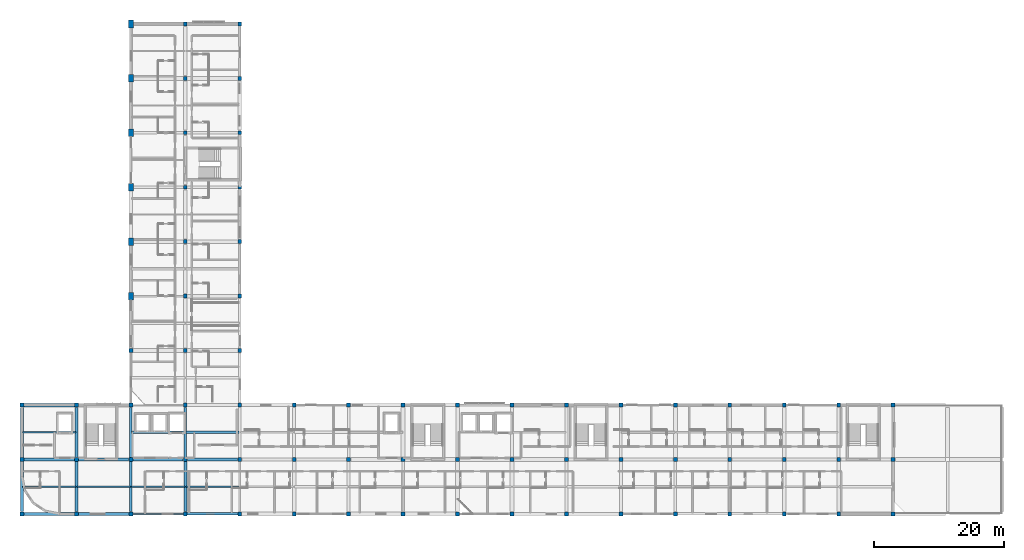
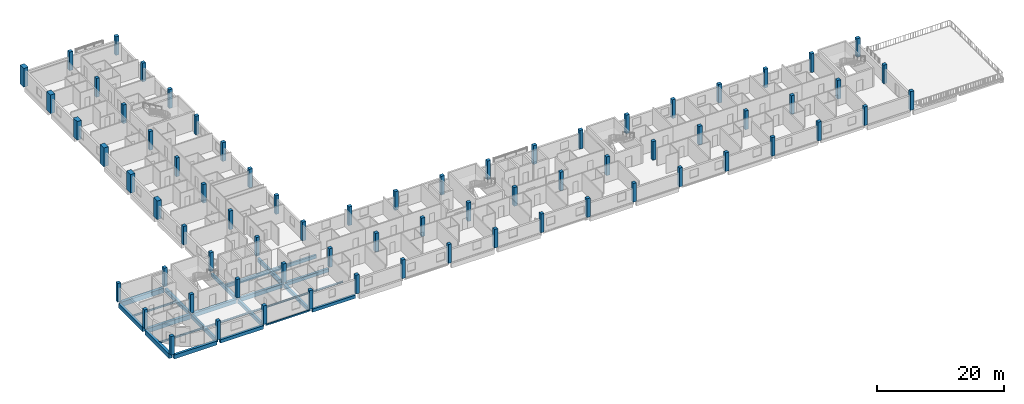
# One storey, part 1 of 25: 72 columns, 24 beams.
"""IFC4 building model written with IfcOpenShell, lengths in metres."""

from ifc_helpers import new_model, si_unit, derived_unit, direction, frame, origin, origin_2d, place, context, subcontext, project, spatial, rectangle, hollow_rectangle, i_section, extrude, material, material_profile, profile_set, type_object, element, save


model = new_model("IFC4")

# Units and contexts
model_context = context("Model", 3, precision=1e-05, world=origin(), true_north=direction((0.0, 1.0)))
body_context = subcontext(model_context, "Body", "Model", "MODEL_VIEW")
ifc_project = project(units=[si_unit("LENGTHUNIT", "METRE"), si_unit("AREAUNIT", "SQUARE_METRE"), si_unit("VOLUMEUNIT", "CUBIC_METRE"), si_unit("PLANEANGLEUNIT", "RADIAN"), si_unit("MASSUNIT", "GRAM", prefix="KILO"), derived_unit("THERMALTRANSMITTANCEUNIT", [(si_unit("POWERUNIT", "WATT"), 1), (si_unit("LENGTHUNIT", "METRE"), -2), (si_unit("THERMODYNAMICTEMPERATUREUNIT", "KELVIN"), -1)])], contexts=[model_context])

# Site, building, storey
site_placement = place(None, origin())
site = spatial("IfcSite", under=ifc_project, at=site_placement, CompositionType="ELEMENT")
building_placement = place(site_placement, origin())
building = spatial("IfcBuilding", under=site, at=building_placement, Name="Barrovel Congress Hotel", CompositionType="ELEMENT")
storey_placement = place(building_placement, frame((0.0, 0.0, 25.5)))
storey = spatial("IfcBuildingStorey", under=building, at=storey_placement, Name="L06", CompositionType="ELEMENT", Elevation=25.5)

# Columns
ifc_material_1 = material(Name="Concrete C40", Category="concrete")
ifc_material_profile_1 = material_profile(ifc_material_1, rectangle(XDim=0.60009765625, YDim=0.60009765625, at=origin_2d()), Name="RC600x600")
ifc_profile_set_1 = profile_set([ifc_material_profile_1], Name="Concrete C40")
column_type_1 = type_object("IfcColumnType", Name="COL-RC600x600", PredefinedType="COLUMN", material=ifc_profile_set_1)
for number, where, z_axis, x_axis, name in (
    (1, (16.800048828125, 4.199951171875, 0.0), (0.0, 0.0, 1.0), (1.0, 0.0, 0.0), "COL:L06:16.8:4.2"),
    (2, (16.800048828125, 12.60009765625, 0.0), (0.0, 0.0, 1.0), (1.0, 0.0, 0.0), "COL:L06:16.8:12.6"),
    (3, (16.800048828125, 21.0, 0.0), (0.0, 0.0, 1.0), (1.0, 0.0, 0.0), "COL:L06:16.8:21.0"),
    (4, (25.199951171875, 4.199951171875, 0.0), (0.0, 0.0, 1.0), (1.0, 0.0, 0.0), "COL:L06:25.2:4.2"),
    (5, (25.199951171875, 12.60009765625, 0.0), (0.0, 0.0, 1.0), (1.0, 0.0, 0.0), "COL:L06:25.2:12.6"),
    (6, (25.199951171875, 21.0, 0.0), (0.0, 0.0, 1.0), (1.0, 0.0, 0.0), "COL:L06:25.2:21.0"),
    (7, (33.60009765625, 4.199951171875, 0.0), (0.0, 0.0, 1.0), (1.0, 0.0, 0.0), "COL:L06:33.6:4.2"),
    (8, (33.60009765625, 12.60009765625, 0.0), (0.0, 0.0, 1.0), (1.0, 0.0, 0.0), "COL:L06:33.6:12.6"),
    (9, (33.60009765625, 21.0, 0.0), (0.0, 0.0, 1.0), (1.0, 0.0, 0.0), "COL:L06:33.6:21.0"),
    (10, (33.60009765625, 29.39990234375, 0.0), (0.0, 0.0, 1.0), (1.0, 0.0, 0.0), "COL:L06:33.6:29.4"),
    (11, (42.0, 4.199951171875, 0.0), (0.0, 0.0, 1.0), (1.0, 0.0, 0.0), "COL:L06:42.0:4.2"),
    (12, (42.0, 12.60009765625, 0.0), (0.0, 0.0, 1.0), (1.0, 0.0, 0.0), "COL:L06:42.0:12.6"),
    (13, (42.0, 21.0, 0.0), (0.0, 0.0, 1.0), (1.0, 0.0, 0.0), "COL:L06:42.0:21.0"),
    (14, (42.0, 29.39990234375, 0.0), (0.0, 0.0, 1.0), (1.0, 0.0, 0.0), "COL:L06:42.0:29.4"),
    (15, (42.0, 37.800048828125, 0.0), (0.0, 0.0, 1.0), (1.0, 0.0, 0.0), "COL:L06:42.0:37.8"),
    (16, (42.0, 46.199951171875, 0.0), (0.0, 0.0, 1.0), (1.0, 0.0, 0.0), "COL:L06:42.0:46.2"),
    (17, (42.0, 54.60009765625, 0.0), (0.0, 0.0, 1.0), (1.0, 0.0, 0.0), "COL:L06:42.0:54.6"),
    (18, (42.0, 63.0, 0.0), (0.0, 0.0, 1.0), (1.0, 0.0, 0.0), "COL:L06:42.0:63.0"),
    (19, (42.0, 71.39990234375, 0.0), (0.0, 0.0, 1.0), (1.0, 0.0, 0.0), "COL:L06:42.0:71.4"),
    (20, (42.0, 79.800048828125, 0.0), (0.0, 0.0, 1.0), (1.0, 0.0, 0.0), "COL:L06:42.0:79.8"),
    (21, (50.39990234375, 4.199951171875, 0.0), (0.0, 0.0, 1.0), (1.0, 0.0, 0.0), "COL:L06:50.4:4.2"),
    (22, (50.39990234375, 12.60009765625, 0.0), (0.0, 0.0, 1.0), (1.0, 0.0, 0.0), "COL:L06:50.4:12.6"),
    (23, (50.39990234375, 21.0, 0.0), (0.0, 0.0, 1.0), (1.0, 0.0, 0.0), "COL:L06:50.4:21.0"),
    (24, (50.39990234375, 29.39990234375, 0.0), (0.0, 0.0, 1.0), (1.0, 0.0, 0.0), "COL:L06:50.4:29.4"),
    (25, (50.39990234375, 37.800048828125, 0.0), (0.0, 0.0, 1.0), (1.0, 0.0, 0.0), "COL:L06:50.4:37.8"),
    (26, (50.39990234375, 46.199951171875, 0.0), (0.0, 0.0, 1.0), (1.0, 0.0, 0.0), "COL:L06:50.4:46.2"),
    (27, (50.39990234375, 54.60009765625, 0.0), (0.0, 0.0, 1.0), (1.0, 0.0, 0.0), "COL:L06:50.4:54.6"),
    (28, (50.39990234375, 63.0, 0.0), (0.0, 0.0, 1.0), (1.0, 0.0, 0.0), "COL:L06:50.4:63.0"),
    (29, (50.39990234375, 71.39990234375, 0.0), (0.0, 0.0, 1.0), (1.0, 0.0, 0.0), "COL:L06:50.4:71.4"),
    (30, (50.39990234375, 79.800048828125, 0.0), (0.0, 0.0, 1.0), (1.0, 0.0, 0.0), "COL:L06:50.4:79.8"),
    (31, (58.800048828125, 4.199951171875, 0.0), (0.0, 0.0, 1.0), (1.0, 0.0, 0.0), "COL:L06:58.8:4.2"),
    (32, (58.800048828125, 12.60009765625, 0.0), (0.0, 0.0, 1.0), (1.0, 0.0, 0.0), "COL:L06:58.8:12.6"),
    (33, (58.800048828125, 21.0, 0.0), (0.0, 0.0, 1.0), (1.0, 0.0, 0.0), "COL:L06:58.8:21.0"),
    (34, (67.199951171875, 4.199951171875, 0.0), (0.0, 0.0, 1.0), (1.0, 0.0, 0.0), "COL:L06:67.2:4.2"),
    (35, (67.199951171875, 12.60009765625, 0.0), (0.0, 0.0, 1.0), (1.0, 0.0, 0.0), "COL:L06:67.2:12.6"),
    (36, (67.199951171875, 21.0, 0.0), (0.0, 0.0, 1.0), (1.0, 0.0, 0.0), "COL:L06:67.2:21.0"),
    (37, (75.60009765625, 4.199951171875, 0.0), (0.0, 0.0, 1.0), (1.0, 0.0, 0.0), "COL:L06:75.6:4.2"),
    (38, (75.60009765625, 12.60009765625, 0.0), (0.0, 0.0, 1.0), (1.0, 0.0, 0.0), "COL:L06:75.6:12.6"),
    (39, (75.60009765625, 21.0, 0.0), (0.0, 0.0, 1.0), (1.0, 0.0, 0.0), "COL:L06:75.6:21.0"),
    (40, (84.0, 4.199951171875, 0.0), (0.0, 0.0, 1.0), (1.0, 0.0, 0.0), "COL:L06:84.0:4.2"),
    (41, (84.0, 12.60009765625, 0.0), (0.0, 0.0, 1.0), (1.0, 0.0, 0.0), "COL:L06:84.0:12.6"),
    (42, (84.0, 21.0, 0.0), (0.0, 0.0, 1.0), (1.0, 0.0, 0.0), "COL:L06:84.0:21.0"),
    (43, (92.39990234375, 4.199951171875, 0.0), (0.0, 0.0, 1.0), (1.0, 0.0, 0.0), "COL:L06:92.4:4.2"),
    (44, (92.39990234375, 12.60009765625, 0.0), (0.0, 0.0, 1.0), (1.0, 0.0, 0.0), "COL:L06:92.4:12.6"),
    (45, (92.39990234375, 21.0, 0.0), (0.0, 0.0, 1.0), (1.0, 0.0, 0.0), "COL:L06:92.4:21.0"),
    (46, (100.800048828125, 4.199951171875, 0.0), (0.0, 0.0, 1.0), (1.0, 0.0, 0.0), "COL:L06:100.8:4.2"),
    (47, (100.800048828125, 12.60009765625, 0.0), (0.0, 0.0, 1.0), (1.0, 0.0, 0.0), "COL:L06:100.8:12.6"),
    (48, (100.800048828125, 21.0, 0.0), (0.0, 0.0, 1.0), (1.0, 0.0, 0.0), "COL:L06:100.8:21.0"),
    (49, (109.199951171875, 4.199951171875, 0.0), (0.0, 0.0, 1.0), (1.0, 0.0, 0.0), "COL:L06:109.2:4.2"),
    (50, (109.199951171875, 12.60009765625, 0.0), (0.0, 0.0, 1.0), (1.0, 0.0, 0.0), "COL:L06:109.2:12.6"),
    (51, (109.199951171875, 21.0, 0.0), (0.0, 0.0, 1.0), (1.0, 0.0, 0.0), "COL:L06:109.2:21.0"),
    (52, (117.60009765625, 4.199951171875, 0.0), (0.0, 0.0, 1.0), (1.0, 0.0, 0.0), "COL:L06:117.6:4.2"),
    (53, (117.60009765625, 12.60009765625, 0.0), (0.0, 0.0, 1.0), (1.0, 0.0, 0.0), "COL:L06:117.6:12.6"),
    (54, (117.60009765625, 21.0, 0.0), (0.0, 0.0, 1.0), (1.0, 0.0, 0.0), "COL:L06:117.6:21.0"),
    (55, (126.0, 4.199951171875, 0.0), (0.0, 0.0, 1.0), (1.0, 0.0, 0.0), "COL:L06:126.0:4.2"),
    (56, (126.0, 12.60009765625, 0.0), (0.0, 0.0, 1.0), (1.0, 0.0, 0.0), "COL:L06:126.0:12.6"),
    (57, (126.0, 21.0, 0.0), (0.0, 0.0, 1.0), (1.0, 0.0, 0.0), "COL:L06:126.0:21.0"),
    (58, (134.39990234375, 4.199951171875, 0.0), (0.0, 0.0, 1.0), (1.0, 0.0, 0.0), "COL:L06:134.4:4.2"),
    (59, (134.39990234375, 12.60009765625, 0.0), (0.0, 0.0, 1.0), (1.0, 0.0, 0.0), "COL:L06:134.4:12.6"),
    (60, (134.39990234375, 21.0, 0.0), (0.0, 0.0, 1.0), (1.0, 0.0, 0.0), "COL:L06:134.4:21.0"),
    (61, (142.800048828125, 4.199951171875, 0.0), (0.0, 0.0, 1.0), (1.0, 0.0, 0.0), "COL:L06:142.8:4.2"),
    (62, (142.800048828125, 12.60009765625, 0.0), (0.0, 0.0, 1.0), (1.0, 0.0, 0.0), "COL:L06:142.8:12.6"),
    (63, (142.800048828125, 21.0, 0.0), (0.0, 0.0, 1.0), (1.0, 0.0, 0.0), "COL:L06:142.8:21.0"),
    (64, (151.199951171875, 4.199951171875, 0.0), (0.0, 0.0, 1.0), (1.0, 0.0, 0.0), "COL:L06:151.2:4.2"),
    (65, (151.199951171875, 12.60009765625, 0.0), (0.0, 0.0, 1.0), (1.0, 0.0, 0.0), "COL:L06:151.2:12.6"),
    (66, (151.199951171875, 21.0, 0.0), (0.0, 0.0, 1.0), (1.0, 0.0, 0.0), "COL:L06:151.2:21.0"),
):
    element("IfcColumn", number, at=place(storey_placement, frame(where, z_axis=z_axis, x_axis=x_axis)), inside=storey, type_object=column_type_1, Name=name, PredefinedType="COLUMN", context=body_context, shape_type="SweptSolid", body=[
        extrude(rectangle(XDim=0.60009765625, YDim=0.60009765625, at=origin_2d()), origin(), (0.0, 0.0, 1.0), 3.60009765625),
    ])
ifc_material_profile_2 = material_profile(ifc_material_1, rectangle(XDim=0.800048828125, YDim=1.199951171875, at=origin_2d()), Name="RC800x1200")
ifc_profile_set_2 = profile_set([ifc_material_profile_2], Name="Concrete C40")
column_type_2 = type_object("IfcColumnType", Name="COL-RC800x1200", PredefinedType="COLUMN", material=ifc_profile_set_2)
for number, where, z_axis, x_axis, name in (
    (67, (33.60009765625, 37.800048828125, 0.0), (0.0, 0.0, 1.0), (1.0, 0.0, 0.0), "COL:L06:33.6:37.8"),
    (68, (33.60009765625, 46.199951171875, 0.0), (0.0, 0.0, 1.0), (1.0, 0.0, 0.0), "COL:L06:33.6:46.2"),
    (69, (33.60009765625, 54.60009765625, 0.0), (0.0, 0.0, 1.0), (1.0, 0.0, 0.0), "COL:L06:33.6:54.6"),
    (70, (33.60009765625, 63.0, 0.0), (0.0, 0.0, 1.0), (1.0, 0.0, 0.0), "COL:L06:33.6:63.0"),
    (71, (33.60009765625, 71.39990234375, 0.0), (0.0, 0.0, 1.0), (1.0, 0.0, 0.0), "COL:L06:33.6:71.4"),
    (72, (33.60009765625, 79.800048828125, 0.0), (0.0, 0.0, 1.0), (1.0, 0.0, 0.0), "COL:L06:33.6:79.8"),
):
    element("IfcColumn", number, at=place(storey_placement, frame(where, z_axis=z_axis, x_axis=x_axis)), inside=storey, type_object=column_type_2, Name=name, PredefinedType="COLUMN", context=body_context, shape_type="SweptSolid", body=[
        extrude(rectangle(XDim=0.800048828125, YDim=1.199951171875, at=origin_2d()), origin(), (0.0, 0.0, 1.0), 3.60009765625),
    ])

# Beams
ifc_material_profile_3 = material_profile(ifc_material_1, rectangle(XDim=0.35009765625, YDim=0.64990234375, at=origin_2d()), Name="RC350x650")
ifc_profile_set_3 = profile_set([ifc_material_profile_3], Name="Concrete C40")
beam_type_1 = type_object("IfcBeamType", Name="BM-RC350x650", PredefinedType="JOIST", material=ifc_profile_set_3)
for number, where, z_axis, x_axis, name in (
    (73, (33.679931640625, 16.800048828125, -0.544921875), (1.0, 0.0, 0.0), (0.0, 1.0, 0.0), "JST:L06:33.6:16.8"),
    (74, (42.080078125, 16.800048828125, -0.544921875), (1.0, 0.0, 0.0), (0.0, 1.0, 0.0), "JST:L06:42.0:16.8"),
):
    element("IfcBeam", number, at=place(storey_placement, frame(where, z_axis=z_axis, x_axis=x_axis)), inside=storey, type_object=beam_type_1, Name=name, PredefinedType="JOIST", context=body_context, shape_type="SweptSolid", body=[
        extrude(rectangle(XDim=0.35009765625, YDim=0.64990234375, at=origin_2d()), origin(), (0.0, 0.0, 1.0), 8.239990234375),
    ])
ifc_material_profile_4 = material_profile(ifc_material_1, rectangle(XDim=0.39990234375, YDim=0.60009765625, at=origin_2d()), Name="RC400x600")
ifc_profile_set_4 = profile_set([ifc_material_profile_4], Name="Concrete C40")
beam_type_2 = type_object("IfcBeamType", Name="BM-RC400x600", PredefinedType="BEAM", material=ifc_profile_set_4)
beam_1_placement = place(storey_placement, frame((42.300048828125, 4.199951171875, -0.52001953125), z_axis=(1.0, 0.0, 0.0), x_axis=(0.0, 1.0, 0.0)))
element("IfcBeam", 75, at=beam_1_placement, inside=storey, type_object=beam_type_2, Name="BMX:L06:4.2:42.0-50.4", PredefinedType="BEAM", context=body_context, shape_type="SweptSolid", body=[
    extrude(rectangle(XDim=0.39990234375, YDim=0.60009765625, at=origin_2d()), origin(), (0.0, 0.0, 1.0), 7.800048828125),
])
beam_2_placement = place(storey_placement, frame((33.60009765625, 12.925048828125, -0.52001953125), z_axis=(0.0, 1.0, 0.0), x_axis=(-1.0, 0.0, 0.0)))
element("IfcBeam", 76, at=beam_2_placement, inside=storey, type_object=beam_type_2, Name="BMY:L06:33.6:12.6-21.0", PredefinedType="BEAM", context=body_context, shape_type="SweptSolid", body=[
    extrude(rectangle(XDim=0.39990234375, YDim=0.60009765625, at=origin_2d()), origin(), (0.0, 0.0, 1.0), 7.675048828125),
])
ifc_material_profile_5 = material_profile(ifc_material_1, rectangle(XDim=0.39990234375, YDim=0.699951171875, at=origin_2d()), Name="RC400x700")
ifc_profile_set_5 = profile_set([ifc_material_profile_5], Name="Concrete C40")
beam_type_3 = type_object("IfcBeamType", Name="BM-RC400x700", PredefinedType="BEAM", material=ifc_profile_set_5)
beam_3_placement = place(storey_placement, frame((33.60009765625, 4.60009765625, -0.570068359375), z_axis=(0.0, 1.0, 0.0), x_axis=(-1.0, 0.0, 0.0)))
element("IfcBeam", 77, at=beam_3_placement, inside=storey, type_object=beam_type_3, Name="BMY:L06:33.6:4.2-12.6", PredefinedType="BEAM", context=body_context, shape_type="SweptSolid", body=[
    extrude(rectangle(XDim=0.39990234375, YDim=0.699951171875, at=origin_2d()), origin(), (0.0, 0.0, 1.0), 7.6748046875),
])
beam_4_placement = place(storey_placement, frame((42.0, 12.925048828125, -0.570068359375), z_axis=(0.0, 1.0, 0.0), x_axis=(-1.0, 0.0, 0.0)))
element("IfcBeam", 78, at=beam_4_placement, inside=storey, type_object=beam_type_3, Name="BMY:L06:42.0:12.6-21.0", PredefinedType="BEAM", context=body_context, shape_type="SweptSolid", body=[
    extrude(rectangle(XDim=0.39990234375, YDim=0.699951171875, at=origin_2d()), origin(), (0.0, 0.0, 1.0), 7.675048828125),
])
ifc_material_profile_6 = material_profile(ifc_material_1, rectangle(XDim=0.449951171875, YDim=0.64990234375, at=origin_2d()), Name="RC450x650")
ifc_profile_set_6 = profile_set([ifc_material_profile_6], Name="Concrete C40")
beam_type_4 = type_object("IfcBeamType", Name="BM-RC450x650", PredefinedType="BEAM", material=ifc_profile_set_6)
beam_5_placement = place(storey_placement, frame((25.5, 4.199951171875, -0.544921875), z_axis=(1.0, 0.0, 0.0), x_axis=(0.0, 1.0, 0.0)))
element("IfcBeam", 79, at=beam_5_placement, inside=storey, type_object=beam_type_4, Name="BMX:L06:4.2:25.2-33.6", PredefinedType="BEAM", context=body_context, shape_type="SweptSolid", body=[
    extrude(rectangle(XDim=0.449951171875, YDim=0.64990234375, at=origin_2d()), origin(), (0.0, 0.0, 1.0), 7.800048828125),
])
beam_6_placement = place(storey_placement, frame((42.324951171875, 12.60009765625, -0.544921875), z_axis=(1.0, 0.0, 0.0), x_axis=(0.0, 1.0, 0.0)))
element("IfcBeam", 80, at=beam_6_placement, inside=storey, type_object=beam_type_4, Name="BMX:L06:12.6:42.0-50.4", PredefinedType="BEAM", context=body_context, shape_type="SweptSolid", body=[
    extrude(rectangle(XDim=0.449951171875, YDim=0.64990234375, at=origin_2d()), origin(), (0.0, 0.0, 1.0), 7.75),
])
beam_7_placement = place(storey_placement, frame((25.199951171875, 12.925048828125, -0.544921875), z_axis=(0.0, 1.0, 0.0), x_axis=(-1.0, 0.0, 0.0)))
element("IfcBeam", 81, at=beam_7_placement, inside=storey, type_object=beam_type_4, Name="BMY:L06:25.2:12.6-21.0", PredefinedType="BEAM", context=body_context, shape_type="SweptSolid", body=[
    extrude(rectangle(XDim=0.449951171875, YDim=0.64990234375, at=origin_2d()), origin(), (0.0, 0.0, 1.0), 7.675048828125),
])
beam_8_placement = place(storey_placement, frame((42.0, 4.60009765625, -0.544921875), z_axis=(0.0, 1.0, 0.0), x_axis=(-1.0, 0.0, 0.0)))
element("IfcBeam", 82, at=beam_8_placement, inside=storey, type_object=beam_type_4, Name="BMY:L06:42.0:4.2-12.6", PredefinedType="BEAM", context=body_context, shape_type="SweptSolid", body=[
    extrude(rectangle(XDim=0.449951171875, YDim=0.64990234375, at=origin_2d()), origin(), (0.0, 0.0, 1.0), 7.6748046875),
])
ifc_material_profile_7 = material_profile(ifc_material_1, rectangle(XDim=0.449951171875, YDim=0.75, at=origin_2d()), Name="RC450x750")
ifc_profile_set_7 = profile_set([ifc_material_profile_7], Name="Concrete C40")
beam_type_5 = type_object("IfcBeamType", Name="BM-RC450x750", PredefinedType="BEAM", material=ifc_profile_set_7)
beam_9_placement = place(storey_placement, frame((17.10009765625, 4.199951171875, -0.594970703125), z_axis=(1.0, 0.0, 0.0), x_axis=(0.0, 1.0, 0.0)))
element("IfcBeam", 83, at=beam_9_placement, inside=storey, type_object=beam_type_5, Name="BMX:L06:4.2:16.8-25.2", PredefinedType="BEAM", context=body_context, shape_type="SweptSolid", body=[
    extrude(rectangle(XDim=0.449951171875, YDim=0.75, at=origin_2d()), origin(), (0.0, 0.0, 1.0), 7.7998046875),
])
beam_10_placement = place(storey_placement, frame((33.925048828125, 12.60009765625, -0.594970703125), z_axis=(1.0, 0.0, 0.0), x_axis=(0.0, 1.0, 0.0)))
element("IfcBeam", 84, at=beam_10_placement, inside=storey, type_object=beam_type_5, Name="BMX:L06:12.6:33.6-42.0", PredefinedType="BEAM", context=body_context, shape_type="SweptSolid", body=[
    extrude(rectangle(XDim=0.449951171875, YDim=0.75, at=origin_2d()), origin(), (0.0, 0.0, 1.0), 7.75),
])
beam_11_placement = place(storey_placement, frame((25.199951171875, 4.60009765625, -0.594970703125), z_axis=(0.0, 1.0, 0.0), x_axis=(-1.0, 0.0, 0.0)))
element("IfcBeam", 85, at=beam_11_placement, inside=storey, type_object=beam_type_5, Name="BMY:L06:25.2:4.2-12.6", PredefinedType="BEAM", context=body_context, shape_type="SweptSolid", body=[
    extrude(rectangle(XDim=0.449951171875, YDim=0.75, at=origin_2d()), origin(), (0.0, 0.0, 1.0), 7.6748046875),
])
ifc_material_profile_8 = material_profile(ifc_material_1, rectangle(XDim=0.5, YDim=0.75, at=origin_2d()), Name="RC500x750")
ifc_profile_set_8 = profile_set([ifc_material_profile_8], Name="Concrete C40")
beam_type_6 = type_object("IfcBeamType", Name="BM-RC500x750", PredefinedType="BEAM", material=ifc_profile_set_8)
beam_12_placement = place(storey_placement, frame((25.52490234375, 12.60009765625, -0.594970703125), z_axis=(1.0, 0.0, 0.0), x_axis=(0.0, 1.0, 0.0)))
element("IfcBeam", 86, at=beam_12_placement, inside=storey, type_object=beam_type_6, Name="BMX:L06:12.6:25.2-33.6", PredefinedType="BEAM", context=body_context, shape_type="SweptSolid", body=[
    extrude(rectangle(XDim=0.5, YDim=0.75, at=origin_2d()), origin(), (0.0, 0.0, 1.0), 7.75),
])
beam_13_placement = place(storey_placement, frame((16.800048828125, 12.925048828125, -0.594970703125), z_axis=(0.0, 1.0, 0.0), x_axis=(-1.0, 0.0, 0.0)))
element("IfcBeam", 87, at=beam_13_placement, inside=storey, type_object=beam_type_6, Name="BMY:L06:16.8:12.6-21.0", PredefinedType="BEAM", context=body_context, shape_type="SweptSolid", body=[
    extrude(rectangle(XDim=0.5, YDim=0.75, at=origin_2d()), origin(), (0.0, 0.0, 1.0), 7.675048828125),
])
ifc_material_profile_9 = material_profile(ifc_material_1, rectangle(XDim=0.5, YDim=0.85009765625, at=origin_2d()), Name="RC500x850")
ifc_profile_set_9 = profile_set([ifc_material_profile_9], Name="Concrete C40")
beam_type_7 = type_object("IfcBeamType", Name="BM-RC500x850", PredefinedType="BEAM", material=ifc_profile_set_9)
beam_14_placement = place(storey_placement, frame((17.125, 12.60009765625, -0.64501953125), z_axis=(1.0, 0.0, 0.0), x_axis=(0.0, 1.0, 0.0)))
element("IfcBeam", 88, at=beam_14_placement, inside=storey, type_object=beam_type_7, Name="BMX:L06:12.6:16.8-25.2", PredefinedType="BEAM", context=body_context, shape_type="SweptSolid", body=[
    extrude(rectangle(XDim=0.5, YDim=0.85009765625, at=origin_2d()), origin(), (0.0, 0.0, 1.0), 7.75),
])
beam_15_placement = place(storey_placement, frame((16.800048828125, 4.60009765625, -0.64501953125), z_axis=(0.0, 1.0, 0.0), x_axis=(-1.0, 0.0, 0.0)))
element("IfcBeam", 89, at=beam_15_placement, inside=storey, type_object=beam_type_7, Name="BMY:L06:16.8:4.2-12.6", PredefinedType="BEAM", context=body_context, shape_type="SweptSolid", body=[
    extrude(rectangle(XDim=0.5, YDim=0.85009765625, at=origin_2d()), origin(), (0.0, 0.0, 1.0), 7.6748046875),
])
ifc_material_profile_10 = material_profile(ifc_material_1, rectangle(XDim=0.550048828125, YDim=0.89990234375, at=origin_2d()), Name="RC550x900")
ifc_profile_set_10 = profile_set([ifc_material_profile_10], Name="Concrete C40")
beam_type_8 = type_object("IfcBeamType", Name="BM-RC550x900", PredefinedType="BEAM", material=ifc_profile_set_10)
beam_16_placement = place(storey_placement, frame((17.10009765625, 21.0, -0.669921875), z_axis=(1.0, 0.0, 0.0), x_axis=(0.0, 1.0, 0.0)))
element("IfcBeam", 90, at=beam_16_placement, inside=storey, type_object=beam_type_8, Name="BMX:L06:21.0:16.8-25.2", PredefinedType="BEAM", context=body_context, shape_type="SweptSolid", body=[
    extrude(rectangle(XDim=0.550048828125, YDim=0.89990234375, at=origin_2d()), origin(), (0.0, 0.0, 1.0), 7.7998046875),
])
ifc_material_2 = material(Name="Steel ASTM A500 Grade C", Category="steel")
ifc_material_profile_11 = material_profile(ifc_material_2, hollow_rectangle(XDim=0.203125, YDim=0.3046875, WallThickness=0.01171875, InnerFilletRadius=0.01171875, OuterFilletRadius=0.023681640625, at=origin_2d()), Name="HSS305x203x12.7")
ifc_profile_set_11 = profile_set([ifc_material_profile_11], Name="Steel ASTM A500 Grade C")
beam_type_9 = type_object("IfcBeamType", Name="SBM-HSS305x203x12.7", PredefinedType="SPANDREL", material=ifc_profile_set_11)
beam_17_placement = place(storey_placement, frame((33.89990234375, 4.199951171875, -0.372314453125), z_axis=(1.0, 0.0, 0.0), x_axis=(0.0, 1.0, 0.0)))
element("IfcBeam", 91, at=beam_17_placement, inside=storey, type_object=beam_type_9, Name="BMX:L06:4.2:33.6-42.0", PredefinedType="SPANDREL", context=body_context, shape_type="SweptSolid", body=[
    extrude(hollow_rectangle(XDim=0.203125, YDim=0.3046875, WallThickness=0.01171875, InnerFilletRadius=0.01171875, OuterFilletRadius=0.023681640625, at=origin_2d()), origin(), (0.0, 0.0, 1.0), 7.800048828125),
])
ifc_material_3 = material(Name="Steel ASTM A992 Grade 50", Category="steel")
ifc_material_profile_12 = material_profile(ifc_material_3, i_section(OverallWidth=0.1650390625, OverallDepth=0.31005859375, WebThickness=0.005859375, FlangeThickness=0.009765625, FilletRadius=0.010986328125, at=origin_2d()), Name="W310x39")
ifc_profile_set_12 = profile_set([ifc_material_profile_12], Name="Steel ASTM A992 Grade 50")
beam_type_10 = type_object("IfcBeamType", Name="SBM-W310x39", PredefinedType="JOIST", material=ifc_profile_set_12)
for number, where, z_axis, x_axis, name in (
    (92, (33.679931640625, 8.39990234375, -0.375), (1.0, 0.0, 0.0), (0.0, 1.0, 0.0), "JST:L06:33.6:8.4"),
    (93, (42.080078125, 8.39990234375, -0.375), (1.0, 0.0, 0.0), (0.0, 1.0, 0.0), "JST:L06:42.0:8.4"),
):
    element("IfcBeam", number, at=place(storey_placement, frame(where, z_axis=z_axis, x_axis=x_axis)), inside=storey, type_object=beam_type_10, Name=name, PredefinedType="JOIST", context=body_context, shape_type="SweptSolid", body=[
        extrude(i_section(OverallWidth=0.1650390625, OverallDepth=0.31005859375, WebThickness=0.005859375, FlangeThickness=0.009765625, FilletRadius=0.010986328125, at=origin_2d()), origin(), (0.0, 0.0, 1.0), 8.239990234375),
    ])
ifc_material_profile_13 = material_profile(ifc_material_3, i_section(OverallWidth=0.1669921875, OverallDepth=0.31689453125, WebThickness=0.007568359375, FlangeThickness=0.01318359375, FilletRadius=0.010986328125, at=origin_2d()), Name="W310x52")
ifc_profile_set_13 = profile_set([ifc_material_profile_13], Name="Steel ASTM A992 Grade 50")
beam_type_11 = type_object("IfcBeamType", Name="SBM-W310x52", PredefinedType="JOIST", material=ifc_profile_set_13)
beam_18_placement = place(storey_placement, frame((25.280029296875, 8.39990234375, -0.37841796875), z_axis=(1.0, 0.0, 0.0), x_axis=(0.0, 1.0, 0.0)))
element("IfcBeam", 94, at=beam_18_placement, inside=storey, type_object=beam_type_11, Name="JST:L06:25.2:8.4", PredefinedType="JOIST", context=body_context, shape_type="SweptSolid", body=[
    extrude(i_section(OverallWidth=0.1669921875, OverallDepth=0.31689453125, WebThickness=0.007568359375, FlangeThickness=0.01318359375, FilletRadius=0.010986328125, at=origin_2d()), origin(), (0.0, 0.0, 1.0), 8.239990234375),
])
ifc_material_profile_14 = material_profile(ifc_material_3, i_section(OverallWidth=0.1708984375, OverallDepth=0.35205078125, WebThickness=0.0068359375, FlangeThickness=0.009765625, FilletRadius=0.011962890625, at=origin_2d()), Name="W360x44")
ifc_profile_set_14 = profile_set([ifc_material_profile_14], Name="Steel ASTM A992 Grade 50")
beam_type_12 = type_object("IfcBeamType", Name="SBM-W360x44", PredefinedType="JOIST", material=ifc_profile_set_14)
beam_19_placement = place(storey_placement, frame((16.8798828125, 16.800048828125, -0.39599609375), z_axis=(1.0, 0.0, 0.0), x_axis=(0.0, 1.0, 0.0)))
element("IfcBeam", 95, at=beam_19_placement, inside=storey, type_object=beam_type_12, Name="JST:L06:16.8:16.8", PredefinedType="JOIST", context=body_context, shape_type="SweptSolid", body=[
    extrude(i_section(OverallWidth=0.1708984375, OverallDepth=0.35205078125, WebThickness=0.0068359375, FlangeThickness=0.009765625, FilletRadius=0.011962890625, at=origin_2d()), origin(), (0.0, 0.0, 1.0), 8.240234375),
])
ifc_material_profile_15 = material_profile(ifc_material_3, i_section(OverallWidth=0.172119140625, OverallDepth=0.35791015625, WebThickness=0.0078125, FlangeThickness=0.01318359375, FilletRadius=0.011962890625, at=origin_2d()), Name="W360x57")
ifc_profile_set_15 = profile_set([ifc_material_profile_15], Name="Steel ASTM A992 Grade 50")
beam_type_13 = type_object("IfcBeamType", Name="SBM-W360x57", PredefinedType="JOIST", material=ifc_profile_set_15)
beam_20_placement = place(storey_placement, frame((16.8798828125, 8.39990234375, -0.39892578125), z_axis=(1.0, 0.0, 0.0), x_axis=(0.0, 1.0, 0.0)))
element("IfcBeam", 96, at=beam_20_placement, inside=storey, type_object=beam_type_13, Name="JST:L06:16.8:8.4", PredefinedType="JOIST", context=body_context, shape_type="SweptSolid", body=[
    extrude(i_section(OverallWidth=0.172119140625, OverallDepth=0.35791015625, WebThickness=0.0078125, FlangeThickness=0.01318359375, FilletRadius=0.011962890625, at=origin_2d()), origin(), (0.0, 0.0, 1.0), 8.240234375),
])

save(model, "model.ifc")
